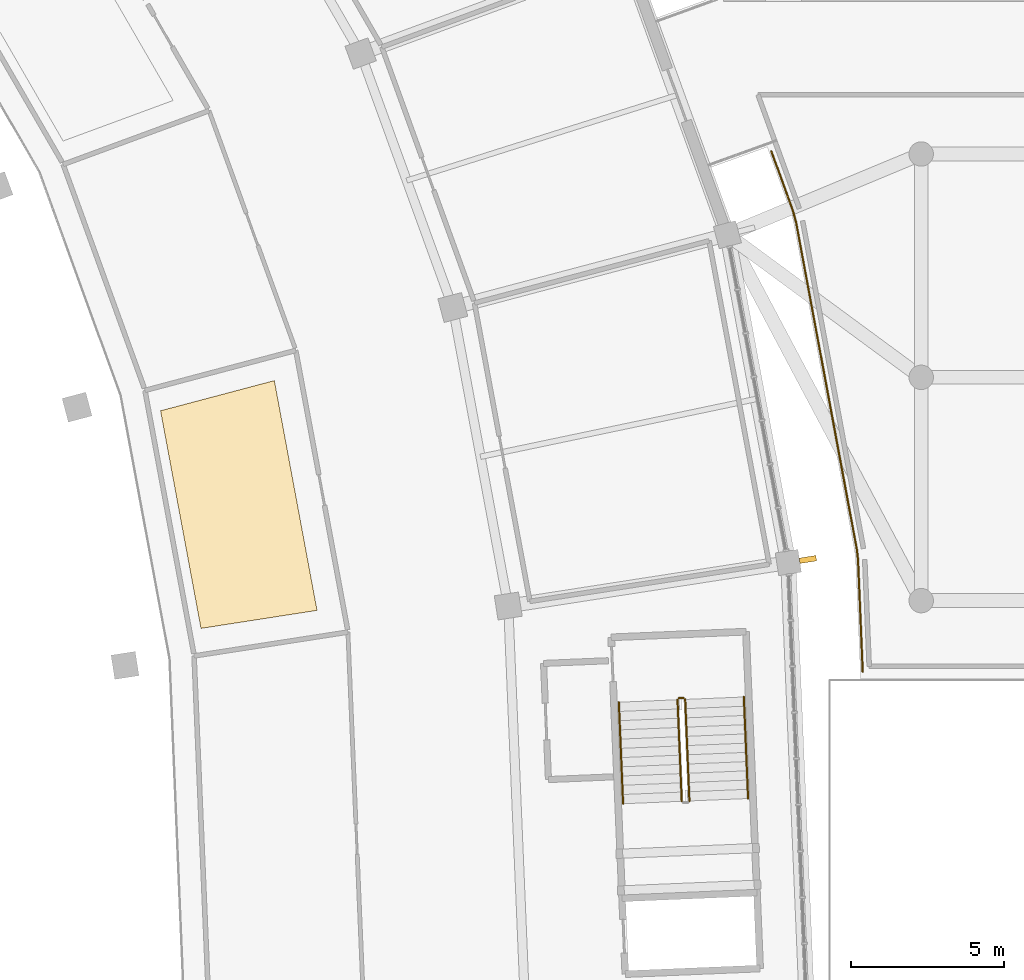
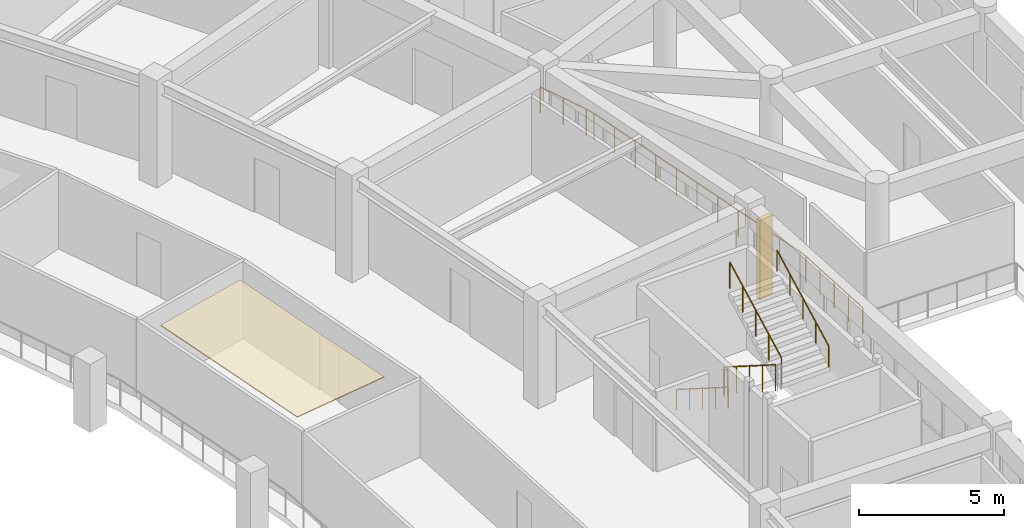
# One storey, part 130 of 141: 6 railings, 1 covering, 1 shading device.
"""IFC4 building model written with IfcOpenShell, lengths in metres."""

import ifcopenshell
import ifcopenshell.guid

model = None  # the IFC model being written
_history = None  # IfcOwnerHistory: only IFC2X3 demands one
_inside = {}  # id of a spatial element -> (the spatial element, [elements in it])
_under = {}  # id of a project, library or spatial element -> (it, [spatial elements below it])
_declared = {}  # id of a project -> (the project, [libraries it declares])
_typed = {}  # id of a type object -> (the type object, [elements of that type])
_made_of = {}  # id of a material, layer set ... -> (it, [elements and type objects made of it])


def new_model(schema):
    """Start an empty IFC model of exactly this schema.

    Asked for "IFC4X3", IfcOpenShell would pick the latest addendum, in which some entities
    have other attributes; the version numbers below select the first issue.
    IFC2X3 requires an IfcOwnerHistory on every rooted entity: one is made here for all.
    """
    global model, _history
    if schema == "IFC4X3":
        model = ifcopenshell.file(schema_version=(4, 3, 0, 0))
    else:
        model = ifcopenshell.file(schema=schema)
    _inside.clear()
    _under.clear()
    _declared.clear()
    _typed.clear()
    _made_of.clear()
    _history = None
    if model.schema == "IFC2X3":
        org = make("IfcOrganization", Name="unknown")
        user = make(
            "IfcPersonAndOrganization",
            ThePerson=make("IfcPerson", FamilyName="unknown"),
            TheOrganization=org,
        )
        app = make(
            "IfcApplication",
            ApplicationDeveloper=org,
            Version="unknown",
            ApplicationFullName="unknown",
            ApplicationIdentifier="unknown",
        )
        _history = make(
            "IfcOwnerHistory",
            OwningUser=user,
            OwningApplication=app,
            ChangeAction="ADDED",
            CreationDate=0,
        )
    return model


def make(cls, **values):
    """One entity of the class cls with the attributes given. An attribute that is None is left unset."""
    return model.create_entity(
        cls, **{name: value for name, value in values.items() if value is not None}
    )


def rooted(cls, **values):
    """An entity with a GlobalId (a new one), such as an element, a storey or a relation."""
    return make(cls, GlobalId=ifcopenshell.guid.new(), OwnerHistory=_history, **values)


def si_unit(unit_type, name, prefix=None):
    """IfcSIUnit, for example si_unit("LENGTHUNIT", "METRE", prefix="MILLI")."""
    return make("IfcSIUnit", UnitType=unit_type, Prefix=prefix, Name=name)


def assignment(units):
    """IfcUnitAssignment: the units of a project."""
    return None if units is None else make("IfcUnitAssignment", Units=units)


def point(xyz):
    """IfcCartesianPoint."""
    return None if xyz is None else make("IfcCartesianPoint", Coordinates=xyz)


def direction(xyz):
    """IfcDirection."""
    return None if xyz is None else make("IfcDirection", DirectionRatios=xyz)


def frame(location, z_axis=None, x_axis=None):
    """IfcAxis2Placement3D, a coordinate frame: its origin and axes. An axis left out is left unset."""
    return make(
        "IfcAxis2Placement3D",
        Location=point(location),
        Axis=direction(z_axis),
        RefDirection=direction(x_axis),
    )


def frame_2d(location, x_axis=None):
    """IfcAxis2Placement2D, a coordinate frame in the plane: its origin and x axis."""
    return make(
        "IfcAxis2Placement2D", Location=point(location), RefDirection=direction(x_axis)
    )


def origin():
    """The frame at (0, 0, 0) with its axes left unset."""
    return frame((0.0, 0.0, 0.0))


def origin_2d():
    """The frame at (0, 0) in the plane with its x axis left unset."""
    return frame_2d((0.0, 0.0))


def place(relative_to, where):
    """IfcLocalPlacement: puts the frame where relative to a parent placement (None: the world)."""
    return make(
        "IfcLocalPlacement", PlacementRelTo=relative_to, RelativePlacement=where
    )


def context(
    kind, dimensions, precision=None, world=None, true_north=None, identifier=None
):
    """IfcGeometricRepresentationContext, for example the 3D "Model" context."""
    return make(
        "IfcGeometricRepresentationContext",
        ContextIdentifier=identifier,
        ContextType=kind,
        CoordinateSpaceDimension=dimensions,
        Precision=precision,
        WorldCoordinateSystem=world,
        TrueNorth=true_north,
    )


def subcontext(parent, identifier, kind, view, scale=None):
    """IfcGeometricRepresentationSubContext, for example "Body" below "Model"."""
    return make(
        "IfcGeometricRepresentationSubContext",
        ContextIdentifier=identifier,
        ContextType=kind,
        ParentContext=parent,
        TargetScale=scale,
        TargetView=view,
    )


def project(units=None, contexts=None):
    """IfcProject with its units and contexts."""
    return rooted(
        "IfcProject",
        Name="project",
        RepresentationContexts=contexts,
        UnitsInContext=assignment(units),
    )


def spatial(cls, under=None, at=None, **own):
    """A site, building, storey or space (cls), placed at a placement, below another one or the project."""
    s = rooted(cls, ObjectPlacement=at, **own)
    if under is not None:
        _under.setdefault(under.id(), (under, []))[1].append(s)
    return s


def polyline(points):
    """IfcPolyline through the points."""
    return make("IfcPolyline", Points=[point(p) for p in points])


def profile(cls, at=None, kind="AREA", **sizes):
    """A parametric profile (cls). Its sizes go by their IFC names, for example OverallWidth=200.0."""
    return make(cls, ProfileType=kind, Position=at, **sizes)


def rectangle(**sizes):
    """IfcRectangleProfileDef."""
    return profile("IfcRectangleProfileDef", **sizes)


def circle(**sizes):
    """IfcCircleProfileDef."""
    return profile("IfcCircleProfileDef", **sizes)


def outline(outer, holes=None, kind="AREA"):
    """IfcArbitraryClosedProfileDef: a profile drawn as a closed curve; with holes, ...WithVoids."""
    if holes is None:
        return make("IfcArbitraryClosedProfileDef", ProfileType=kind, OuterCurve=outer)
    return make(
        "IfcArbitraryProfileDefWithVoids",
        ProfileType=kind,
        OuterCurve=outer,
        InnerCurves=holes,
    )


def extrude(swept, where, along, depth):
    """IfcExtrudedAreaSolid: the profile swept, set in the frame where, extruded along a direction by depth."""
    return make(
        "IfcExtrudedAreaSolid",
        SweptArea=swept,
        Position=where,
        ExtrudedDirection=direction(along),
        Depth=depth,
    )


def shape(context_of_items, identifier, shape_type, items):
    """IfcShapeRepresentation: the items that make up one representation, for example the "Body"."""
    return make(
        "IfcShapeRepresentation",
        ContextOfItems=context_of_items,
        RepresentationIdentifier=identifier,
        RepresentationType=shape_type,
        Items=items,
    )


def material(Name=None, Category=None):
    """IfcMaterial."""
    return make("IfcMaterial", Name=Name, Category=Category)


def layer(
    of_material, thickness, ventilated=None, Name=None, Category=None, Priority=None
):
    """IfcMaterialLayer: one layer of a wall or slab, of a material (None: an air gap)."""
    return make(
        "IfcMaterialLayer",
        Material=of_material,
        LayerThickness=thickness,
        IsVentilated=ventilated,
        Name=Name,
        Category=Category,
        Priority=Priority,
    )


def layer_set(layers, Name=None):
    """IfcMaterialLayerSet."""
    return make("IfcMaterialLayerSet", MaterialLayers=layers, LayerSetName=Name)


def made_of(thing, what):
    """Note that an element or type object is made of a material, layer set ...; save() writes the relation."""
    if what is not None:
        _made_of.setdefault(what.id(), (what, []))[1].append(thing)
    return thing


def type_object(cls, material=None, **own):
    """A type object (cls), such as IfcWallType, which elements share."""
    return made_of(rooted(cls, **own), material)


def element(
    cls,
    number,
    at=None,
    inside=None,
    cuts=None,
    type_object=None,
    material=None,
    context=None,
    identifier="Body",
    shape_type=None,
    held_by="IfcProductDefinitionShape",
    body=None,
    shapes=None,
    **own,
):
    """One element of the class cls, such as IfcWall. Its Tag is "e" and its number.

    at: its placement. inside: the storey or other place that contains it. cuts: it is an
    opening in that element (IfcRelVoidsElement). A single representation is given by context,
    identifier, shape_type and body (its items); several are given by shapes. held_by: the class
    of the entity that holds the representations. save() writes the other relations.
    """
    e = rooted(cls, Tag="e%d" % number, ObjectPlacement=at, **own)
    if body is not None:
        shapes = [shape(context, identifier, shape_type, body)]
    if shapes is not None:
        e.Representation = make(held_by, Representations=shapes)
    if inside is not None:
        _inside.setdefault(inside.id(), (inside, []))[1].append(e)
    if cuts is not None:
        rooted(
            "IfcRelVoidsElement", RelatingBuildingElement=cuts, RelatedOpeningElement=e
        )
    if type_object is not None:
        _typed.setdefault(type_object.id(), (type_object, []))[1].append(e)
    return made_of(e, material)


def aggregate(whole, parts):
    """IfcRelAggregates: a whole, such as a stair, and the parts it consists of."""
    return rooted("IfcRelAggregates", RelatingObject=whole, RelatedObjects=parts)


def save(model, path):
    """Write the relations noted so far, then the file.

    IfcRelAggregates (storeys below a building ...), IfcRelContainedInSpatialStructure (elements
    in a storey), IfcRelDefinesByType, IfcRelAssociatesMaterial and IfcRelDeclares: one each for
    every whole, place, type object, material and project.
    """
    for whole, parts in _under.values():
        aggregate(whole, parts)
    for where, things in _inside.values():
        rooted(
            "IfcRelContainedInSpatialStructure",
            RelatedElements=things,
            RelatingStructure=where,
        )
    for kind, things in _typed.values():
        rooted("IfcRelDefinesByType", RelatedObjects=things, RelatingType=kind)
    for what, things in _made_of.values():
        rooted("IfcRelAssociatesMaterial", RelatedObjects=things, RelatingMaterial=what)
    for by, libraries in _declared.values():
        rooted("IfcRelDeclares", RelatingContext=by, RelatedDefinitions=libraries)
    model.write(path)


model = new_model("IFC4")

# Units and contexts
model_context = context("Model", 3, precision=1e-05, world=origin(), true_north=direction((0.0, 1.0)))
body_context = subcontext(model_context, "Body", "Model", "MODEL_VIEW")
ifc_project = project(units=[si_unit("LENGTHUNIT", "METRE"), si_unit("AREAUNIT", "SQUARE_METRE"), si_unit("VOLUMEUNIT", "CUBIC_METRE"), si_unit("PLANEANGLEUNIT", "RADIAN"), si_unit("MASSUNIT", "GRAM", prefix="KILO")], contexts=[model_context])

# Site, building, storey
site_placement = place(None, origin())
site = spatial("IfcSite", under=ifc_project, at=site_placement, CompositionType="ELEMENT")
building_placement = place(site_placement, origin())
building = spatial("IfcBuilding", under=site, at=building_placement, Name="Mphavela Belvedere Stadium", CompositionType="ELEMENT")
storey_placement = place(building_placement, frame((0.0, 0.0, 14.699951171875)))
storey = spatial("IfcBuildingStorey", under=building, at=storey_placement, Name="L03", CompositionType="ELEMENT", Elevation=14.699951171875)

# Covering
ifc_material_1 = material(Name="Perforated acoustic mineral ceiling tile")
ifc_layer = layer(ifc_material_1, 0.0400390625)
ifc_layer_set = layer_set([ifc_layer], Name="Perforated acoustic mineral ceiling tile")
covering_type = type_object("IfcCoveringType", Name="COV-CEILING-ACOUSTIC", PredefinedType="CEILING", material=ifc_layer_set)
covering_placement = place(storey_placement, frame((0.0, 0.0, 3.199951171875)))
element("IfcCovering", 1, at=covering_placement, inside=storey, type_object=covering_type, Name="Concourse acoustic ceiling L03-02", PredefinedType="CEILING", context=body_context, shape_type="SweptSolid", body=[
    extrude(outline(polyline([(197.955322265625, 100.692626953125), (196.634033203125, 107.806396484375), (200.353271484375, 108.79248046875), (201.74853515625, 101.281005859375), (197.955322265625, 100.692626953125)])), origin(), (0.0, 0.0, 1.0), 0.0400390625),
])

# Railings
ifc_material_2 = material(Name="Bronze and laminated glass stadium balustrade", Category="glass")
railing_type_1 = type_object("IfcRailingType", Name="RAL-BALUSTRADE-1120", PredefinedType="BALUSTRADE", material=ifc_material_2)
railing_1_placement = place(storey_placement, frame((219.5869140625, 99.280029296875, 0.0)))
element("IfcRailing", 2, at=railing_1_placement, inside=storey, type_object=railing_type_1, Name="Peristyle wing gallery edge balustrade L03-62", PredefinedType="BALUSTRADE", context=body_context, shape_type="SweptSolid", body=[
    extrude(circle(Radius=0.02392578125, at=origin_2d()), frame((0.0, 0.0, 1.09619140625), z_axis=(-0.041913249869, 0.999121253645, 0.0), x_axis=(-0.999121253645, -0.041913249869, 0.0)), (0.0, 0.0, 1.0), 3.663818359375),
    extrude(circle(Radius=0.02392578125, at=origin_2d()), frame((-0.153564453125, 3.66064453125, 1.09619140625), z_axis=(-0.111925462349, 0.993716604912, 0.0), x_axis=(-0.993716604912, -0.111925462349, 0.0)), (0.0, 0.0, 1.0), 0.32275390625),
    extrude(circle(Radius=0.02392578125, at=origin_2d()), frame((-0.189697265625, 3.9814453125, 1.09619140625), z_axis=(-0.182655268054, 0.983177020201, 0.0), x_axis=(-0.983177020201, -0.182655268054, 0.0)), (0.0, 0.0, 1.0), 10.904052734375),
    extrude(circle(Radius=0.02392578125, at=origin_2d()), frame((-2.181396484375, 14.7021484375, 1.09619140625), z_axis=(-0.263228770057, 0.96473344226, 0.0), x_axis=(-0.96473344226, -0.263228770057, 0.0)), (0.0, 0.0, 1.0), 0.37109375),
    extrude(circle(Radius=0.02392578125, at=origin_2d()), frame((-2.279052734375, 15.06005859375, 1.09619140625), z_axis=(-0.3409855965, 0.940068520364, 0.0), x_axis=(-0.940068520364, -0.3409855965, 0.0)), (0.0, 0.0, 1.0), 2.070556640625),
    extrude(circle(Radius=0.02099609375, at=origin_2d()), origin(), (0.0, 0.0, 1.0), 1.072021484375),
    extrude(circle(Radius=0.02099609375, at=origin_2d()), frame((-0.038330078125, 0.9150390625, 0.0)), (0.0, 0.0, 1.0), 1.072021484375),
    extrude(circle(Radius=0.02099609375, at=origin_2d()), frame((-0.07666015625, 1.830322265625, 0.0)), (0.0, 0.0, 1.0), 1.072021484375),
    extrude(circle(Radius=0.02099609375, at=origin_2d()), frame((-0.115234375, 2.74560546875, 0.0)), (0.0, 0.0, 1.0), 1.072021484375),
    extrude(circle(Radius=0.02099609375, at=origin_2d()), frame((-0.153564453125, 3.66064453125, 0.0)), (0.0, 0.0, 1.0), 1.072021484375),
    extrude(circle(Radius=0.02099609375, at=origin_2d()), frame((-0.189697265625, 3.9814453125, 0.0)), (0.0, 0.0, 1.0), 1.072021484375),
    extrude(circle(Radius=0.02099609375, at=origin_2d()), frame((-0.388916015625, 5.053466796875, 0.0)), (0.0, 0.0, 1.0), 1.072021484375),
    extrude(circle(Radius=0.02099609375, at=origin_2d()), frame((-0.588134765625, 6.12548828125, 0.0)), (0.0, 0.0, 1.0), 1.072021484375),
    extrude(circle(Radius=0.02099609375, at=origin_2d()), frame((-0.787109375, 7.19775390625, 0.0)), (0.0, 0.0, 1.0), 1.072021484375),
    extrude(circle(Radius=0.02099609375, at=origin_2d()), frame((-0.986328125, 8.269775390625, 0.0)), (0.0, 0.0, 1.0), 1.072021484375),
    extrude(circle(Radius=0.02099609375, at=origin_2d()), frame((-1.185546875, 9.341796875, 0.0)), (0.0, 0.0, 1.0), 1.072021484375),
    extrude(circle(Radius=0.02099609375, at=origin_2d()), frame((-1.384765625, 10.413818359375, 0.0)), (0.0, 0.0, 1.0), 1.072021484375),
    extrude(circle(Radius=0.02099609375, at=origin_2d()), frame((-1.583984375, 11.48583984375, 0.0)), (0.0, 0.0, 1.0), 1.072021484375),
    extrude(circle(Radius=0.02099609375, at=origin_2d()), frame((-1.782958984375, 12.55810546875, 0.0)), (0.0, 0.0, 1.0), 1.072021484375),
    extrude(circle(Radius=0.02099609375, at=origin_2d()), frame((-1.982177734375, 13.630126953125, 0.0)), (0.0, 0.0, 1.0), 1.072021484375),
    extrude(circle(Radius=0.02099609375, at=origin_2d()), frame((-2.181396484375, 14.7021484375, 0.0)), (0.0, 0.0, 1.0), 1.072021484375),
    extrude(circle(Radius=0.02099609375, at=origin_2d()), frame((-2.279052734375, 15.06005859375, 0.0)), (0.0, 0.0, 1.0), 1.072021484375),
    extrude(circle(Radius=0.02099609375, at=origin_2d()), frame((-2.632080078125, 16.033203125, 0.0)), (0.0, 0.0, 1.0), 1.072021484375),
    extrude(circle(Radius=0.02099609375, at=origin_2d()), frame((-2.985107421875, 17.006591796875, 0.0)), (0.0, 0.0, 1.0), 1.072021484375),
])
ifc_material_3 = material(Name="Painted galvanised steel stair guardrail", Category="steel")
railing_type_2 = type_object("IfcRailingType", Name="RAL-GUARD-1120", PredefinedType="GUARDRAIL", material=ifc_material_3)
railing_2_placement = place(storey_placement, frame((213.532958984375, 98.359375, 0.1875)))
element("IfcRailing", 3, at=railing_2_placement, inside=storey, type_object=railing_type_2, Name="L03 ST-C01 stair guard 1", PredefinedType="GUARDRAIL", context=body_context, shape_type="SweptSolid", body=[
    extrude(circle(Radius=0.02392578125, at=origin_2d()), frame((0.0, 0.0, 1.09619140625), z_axis=(0.035589037861, -0.848829771435, 0.527467003243), x_axis=(0.999122212945, 0.041890375975, 0.0)), (0.0, 0.0, 1.0), 3.91015625),
    extrude(circle(Radius=0.02099609375, at=origin_2d()), origin(), (0.0, 0.0, 1.0), 1.072021484375),
    extrude(circle(Radius=0.02099609375, at=origin_2d()), frame((0.03466796875, -0.829833984375, 0.515625)), (0.0, 0.0, 1.0), 1.072021484375),
    extrude(circle(Radius=0.02099609375, at=origin_2d()), frame((0.069580078125, -1.65966796875, 1.03125)), (0.0, 0.0, 1.0), 1.072021484375),
    extrude(circle(Radius=0.02099609375, at=origin_2d()), frame((0.1044921875, -2.4892578125, 1.546875)), (0.0, 0.0, 1.0), 1.072021484375),
    extrude(circle(Radius=0.02099609375, at=origin_2d()), frame((0.13916015625, -3.319091796875, 2.0625)), (0.0, 0.0, 1.0), 1.072021484375),
])
railing_3_placement = place(storey_placement, frame((213.921875, 95.05078125, 2.4375)))
element("IfcRailing", 4, at=railing_3_placement, inside=storey, type_object=railing_type_2, Name="L03 ST-C01 stair guard 3", PredefinedType="GUARDRAIL", context=body_context, shape_type="SweptSolid", body=[
    extrude(circle(Radius=0.02392578125, at=origin_2d()), frame((0.0, 0.0, 1.09619140625), z_axis=(-0.035589037861, 0.848829771435, 0.527467003243), x_axis=(-0.999122212945, -0.041890375975, 0.0)), (0.0, 0.0, 1.0), 3.91015625),
    extrude(circle(Radius=0.02099609375, at=origin_2d()), origin(), (0.0, 0.0, 1.0), 1.072021484375),
    extrude(circle(Radius=0.02099609375, at=origin_2d()), frame((-0.03466796875, 0.829833984375, 0.515625)), (0.0, 0.0, 1.0), 1.072021484375),
    extrude(circle(Radius=0.02099609375, at=origin_2d()), frame((-0.069580078125, 1.65966796875, 1.03125)), (0.0, 0.0, 1.0), 1.072021484375),
    extrude(circle(Radius=0.02099609375, at=origin_2d()), frame((-0.1044921875, 2.4892578125, 1.546875)), (0.0, 0.0, 1.0), 1.072021484375),
    extrude(circle(Radius=0.02099609375, at=origin_2d()), frame((-0.13916015625, 3.319091796875, 2.0625)), (0.0, 0.0, 1.0), 1.072021484375),
])
railing_4_placement = place(storey_placement, frame((213.580810546875, 98.41162109375, 0.0)))
element("IfcRailing", 5, at=railing_4_placement, inside=storey, type_object=railing_type_2, Name="L03 ST-C01 stair guard 4", PredefinedType="GUARDRAIL", context=body_context, shape_type="SweptSolid", body=[
    extrude(circle(Radius=0.02392578125, at=origin_2d()), frame((0.0, 0.0, 1.09619140625), z_axis=(0.999172107982, 0.040682903419, 0.0), x_axis=(-0.040682903419, 0.999172107982, 0.0)), (0.0, 0.0, 1.0), 0.150146484375),
    extrude(circle(Radius=0.02099609375, at=origin_2d()), origin(), (0.0, 0.0, 1.0), 1.072021484375),
    extrude(circle(Radius=0.02099609375, at=origin_2d()), frame((0.14990234375, 0.006103515625, 0.0)), (0.0, 0.0, 1.0), 1.072021484375),
])
ifc_material_4 = material(Name="Brushed stainless steel tubular handrail", Category="steel")
railing_type_3 = type_object("IfcRailingType", Name="RAL-HANDRAIL-900", PredefinedType="HANDRAIL", material=ifc_material_4)
railing_5_placement = place(storey_placement, frame((211.61474609375, 98.279052734375, 0.1875)))
element("IfcRailing", 6, at=railing_5_placement, inside=storey, type_object=railing_type_3, Name="L03 ST-C01 stair handrail 1", PredefinedType="HANDRAIL", context=body_context, shape_type="SweptSolid", body=[
    extrude(circle(Radius=0.02392578125, at=origin_2d()), frame((0.0, 0.0, 0.8759765625), z_axis=(0.035526679826, -0.848831655946, 0.527468174287), x_axis=(0.999125286162, 0.041817012712, 0.0)), (0.0, 0.0, 1.0), 3.91015625),
    extrude(circle(Radius=0.02099609375, at=origin_2d()), origin(), (0.0, 0.0, 1.0), 0.851806640625),
    extrude(circle(Radius=0.02099609375, at=origin_2d()), frame((0.03466796875, -0.829833984375, 0.515625)), (0.0, 0.0, 1.0), 0.851806640625),
    extrude(circle(Radius=0.02099609375, at=origin_2d()), frame((0.0693359375, -1.65966796875, 1.03125)), (0.0, 0.0, 1.0), 0.851806640625),
    extrude(circle(Radius=0.02099609375, at=origin_2d()), frame((0.104248046875, -2.4892578125, 1.546875)), (0.0, 0.0, 1.0), 0.851806640625),
    extrude(circle(Radius=0.02099609375, at=origin_2d()), frame((0.138916015625, -3.319091796875, 2.0625)), (0.0, 0.0, 1.0), 0.851806640625),
])
railing_6_placement = place(storey_placement, frame((215.840087890625, 95.13134765625, 2.4375)))
element("IfcRailing", 7, at=railing_6_placement, inside=storey, type_object=railing_type_3, Name="L03 ST-C01 stair handrail 2", PredefinedType="HANDRAIL", context=body_context, shape_type="SweptSolid", body=[
    extrude(circle(Radius=0.02392578125, at=origin_2d()), frame((0.0, 0.0, 0.8759765625), z_axis=(-0.035526679826, 0.848831655946, 0.527468174287), x_axis=(-0.999125286162, -0.041817012712, 0.0)), (0.0, 0.0, 1.0), 3.91015625),
    extrude(circle(Radius=0.02099609375, at=origin_2d()), origin(), (0.0, 0.0, 1.0), 0.851806640625),
    extrude(circle(Radius=0.02099609375, at=origin_2d()), frame((-0.03466796875, 0.829833984375, 0.515625)), (0.0, 0.0, 1.0), 0.851806640625),
    extrude(circle(Radius=0.02099609375, at=origin_2d()), frame((-0.0693359375, 1.65966796875, 1.03125)), (0.0, 0.0, 1.0), 0.851806640625),
    extrude(circle(Radius=0.02099609375, at=origin_2d()), frame((-0.104248046875, 2.4892578125, 1.546875)), (0.0, 0.0, 1.0), 0.851806640625),
    extrude(circle(Radius=0.02099609375, at=origin_2d()), frame((-0.138916015625, 3.319091796875, 2.0625)), (0.0, 0.0, 1.0), 0.851806640625),
])

# Shading device
ifc_material_5 = material(Name="Honed limestone and bronze vertical brise-soleil fin", Category="masonry")
shading_device_type = type_object("IfcShadingDeviceType", Name="SHD-SOLAR-FIN", PredefinedType="USERDEFINED", material=ifc_material_5)
shading_device_placement = place(storey_placement, frame((217.795654296875, 102.9443359375, 0.0), z_axis=(0.0, 0.0, 1.0), x_axis=(0.98817491911, 0.153330783737, 0.0)))
element("IfcShadingDevice", 8, at=shading_device_placement, inside=storey, type_object=shading_device_type, Name="Classical vertical solar brise-soleil fin L03-02", ObjectType="SOLAR FIN", PredefinedType="USERDEFINED", context=body_context, shape_type="SweptSolid", body=[
    extrude(rectangle(XDim=0.550048828125, YDim=0.179931640625, at=origin_2d()), origin(), (0.0, 0.0, 1.0), 3.320068359375),
])

save(model, "model.ifc")
